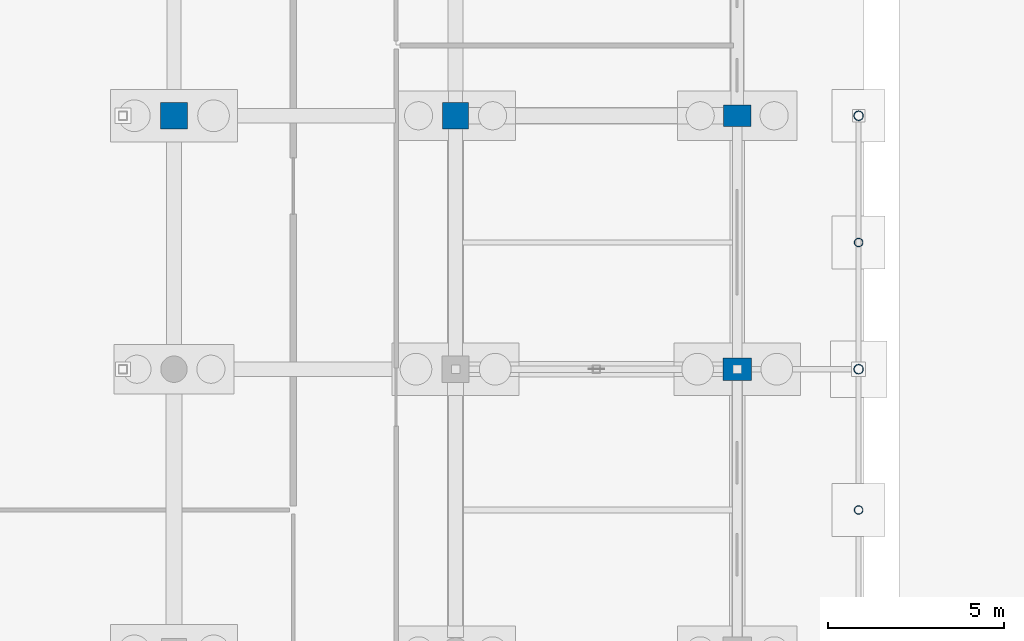
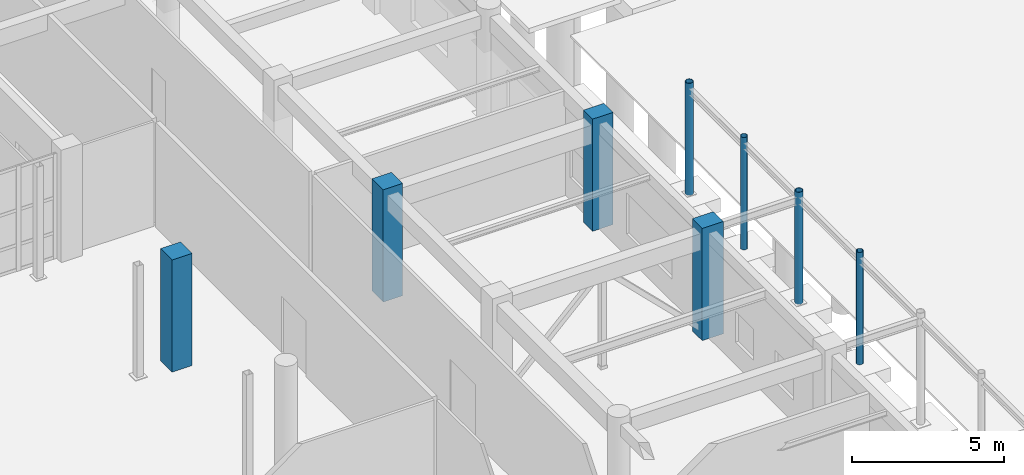
# One storey, part 30 of 166: 8 columns.
"""IFC4 building model written with IfcOpenShell, lengths in metres."""

from ifc_helpers import new_model, si_unit, direction, frame, origin, origin_2d, place, context, subcontext, project, spatial, rectangle, hollow_circle, extrude, material, material_profile, profile_set, type_object, element, save


model = new_model("IFC4")

# Units and contexts
model_context = context("Model", 3, precision=1e-05, world=origin(), true_north=direction((0.0, 1.0)))
body_context = subcontext(model_context, "Body", "Model", "MODEL_VIEW")
ifc_project = project(units=[si_unit("LENGTHUNIT", "METRE"), si_unit("AREAUNIT", "SQUARE_METRE"), si_unit("VOLUMEUNIT", "CUBIC_METRE"), si_unit("PLANEANGLEUNIT", "RADIAN"), si_unit("MASSUNIT", "GRAM", prefix="KILO")], contexts=[model_context])

# Site, building, storey
site_placement = place(None, origin())
site = spatial("IfcSite", under=ifc_project, at=site_placement, CompositionType="ELEMENT")
building_placement = place(site_placement, origin())
building = spatial("IfcBuilding", under=site, at=building_placement, Name="Kharva Crest Polytechnic", CompositionType="ELEMENT")
storey_placement = place(building_placement, origin())
storey = spatial("IfcBuildingStorey", under=building, at=storey_placement, Name="L00", CompositionType="ELEMENT", Elevation=0.0)

# Columns
ifc_material_1 = material(Name="Concrete C40/50", Category="concrete")
ifc_material_profile_1 = material_profile(ifc_material_1, rectangle(XDim=0.780029296875, YDim=0.60009765625, at=origin_2d()), Name="RECT 780 X 600")
ifc_profile_set_1 = profile_set([ifc_material_profile_1], Name="Concrete C40/50")
column_type_1 = type_object("IfcColumnType", Name="COL-EXT-780X600", PredefinedType="COLUMN", material=ifc_profile_set_1)
column_1_placement = place(storey_placement, frame((48.0, 86.0, 0.0), z_axis=(0.0, 0.0, 1.0), x_axis=(1.0, 0.0, 0.0)))
element("IfcColumn", 1, at=column_1_placement, inside=storey, type_object=column_type_1, Name="L00 Column 7/M", PredefinedType="COLUMN", context=body_context, shape_type="SweptSolid", body=[
    extrude(rectangle(XDim=0.780029296875, YDim=0.60009765625, at=origin_2d()), origin(), (0.0, 0.0, 1.0), 4.5),
])
ifc_material_profile_2 = material_profile(ifc_material_1, rectangle(XDim=0.800048828125, YDim=0.64990234375, at=origin_2d()), Name="RECT 800 X 650")
ifc_profile_set_2 = profile_set([ifc_material_profile_2], Name="Concrete C40/50")
column_type_2 = type_object("IfcColumnType", Name="COL-EXT-800X650", PredefinedType="COLUMN", material=ifc_profile_set_2)
column_2_placement = place(storey_placement, frame((48.0, 78.800048828125, 0.0), z_axis=(0.0, 0.0, 1.0), x_axis=(1.0, 0.0, 0.0)))
element("IfcColumn", 2, at=column_2_placement, inside=storey, type_object=column_type_2, Name="L00 Column 7/L", PredefinedType="COLUMN", context=body_context, shape_type="SweptSolid", body=[
    extrude(rectangle(XDim=0.800048828125, YDim=0.64990234375, at=origin_2d()), origin(), (0.0, 0.0, 1.0), 4.5),
])
ifc_material_profile_3 = material_profile(ifc_material_1, rectangle(XDim=0.739990234375, YDim=0.739990234375, at=origin_2d()), Name="RECT 740 X 740")
ifc_profile_set_3 = profile_set([ifc_material_profile_3], Name="Concrete C40/50")
column_type_3 = type_object("IfcColumnType", Name="COL-INT-740X740", PredefinedType="COLUMN", material=ifc_profile_set_3)
column_3_placement = place(storey_placement, frame((40.0, 86.0, 0.0), z_axis=(0.0, 0.0, 1.0), x_axis=(1.0, 0.0, 0.0)))
element("IfcColumn", 3, at=column_3_placement, inside=storey, type_object=column_type_3, Name="L00 Column 6/M", PredefinedType="COLUMN", context=body_context, shape_type="SweptSolid", body=[
    extrude(rectangle(XDim=0.739990234375, YDim=0.739990234375, at=origin_2d()), origin(), (0.0, 0.0, 1.0), 4.5),
])
ifc_material_profile_4 = material_profile(ifc_material_1, rectangle(XDim=0.760009765625, YDim=0.760009765625, at=origin_2d()), Name="RECT 760 X 760")
ifc_profile_set_4 = profile_set([ifc_material_profile_4], Name="Concrete C40/50")
column_type_4 = type_object("IfcColumnType", Name="COL-INT-760X760", PredefinedType="COLUMN", material=ifc_profile_set_4)
column_4_placement = place(storey_placement, frame((32.0, 86.0, 0.0), z_axis=(0.0, 0.0, 1.0), x_axis=(1.0, 0.0, 0.0)))
element("IfcColumn", 4, at=column_4_placement, inside=storey, type_object=column_type_4, Name="L00 Column 5/M", PredefinedType="COLUMN", context=body_context, shape_type="SweptSolid", body=[
    extrude(rectangle(XDim=0.760009765625, YDim=0.760009765625, at=origin_2d()), origin(), (0.0, 0.0, 1.0), 4.5),
])
ifc_material_2 = material(Name="Steel S355", Category="steel")
ifc_material_profile_5 = material_profile(ifc_material_2, hollow_circle(Radius=0.122314453125, WallThickness=0.010009765625, at=origin_2d()), Name="CHS 244.5X10.0")
ifc_profile_set_5 = profile_set([ifc_material_profile_5], Name="Steel S355")
column_type_5 = type_object("IfcColumnType", Name="COL-STL-CHS244", PredefinedType="COLUMN", material=ifc_profile_set_5)
for number, where, z_axis, x_axis, name in (
    (5, (51.449951171875, 74.800048828125, 0.0), (0.0, 0.0, 1.0), (1.0, 0.0, 0.0), "L00 Colonnade Mid Column VWM04"),
    (6, (51.449951171875, 82.39990234375, 0.0), (0.0, 0.0, 1.0), (1.0, 0.0, 0.0), "L00 Colonnade Mid Column VWM05"),
):
    element("IfcColumn", number, at=place(storey_placement, frame(where, z_axis=z_axis, x_axis=x_axis)), inside=storey, type_object=column_type_5, Name=name, PredefinedType="COLUMN", context=body_context, shape_type="SweptSolid", body=[
        extrude(hollow_circle(Radius=0.122314453125, WallThickness=0.010009765625, at=origin_2d()), origin(), (0.0, 0.0, 1.0), 4.5),
    ])
ifc_material_profile_6 = material_profile(ifc_material_2, hollow_circle(Radius=0.136474609375, WallThickness=0.012451171875, at=origin_2d()), Name="CHS 273.0X12.5")
ifc_profile_set_6 = profile_set([ifc_material_profile_6], Name="Steel S355")
column_type_6 = type_object("IfcColumnType", Name="COL-STL-CHS273", PredefinedType="COLUMN", material=ifc_profile_set_6)
for number, where, z_axis, x_axis, name in (
    (7, (51.449951171875, 78.800048828125, 0.0), (0.0, 0.0, 1.0), (1.0, 0.0, 0.0), "L00 Colonnade Column VW05"),
    (8, (51.449951171875, 86.0, 0.0), (0.0, 0.0, 1.0), (1.0, 0.0, 0.0), "L00 Colonnade Column VW06"),
):
    element("IfcColumn", number, at=place(storey_placement, frame(where, z_axis=z_axis, x_axis=x_axis)), inside=storey, type_object=column_type_6, Name=name, PredefinedType="COLUMN", context=body_context, shape_type="SweptSolid", body=[
        extrude(hollow_circle(Radius=0.136474609375, WallThickness=0.012451171875, at=origin_2d()), origin(), (0.0, 0.0, 1.0), 4.5),
    ])

save(model, "model.ifc")
